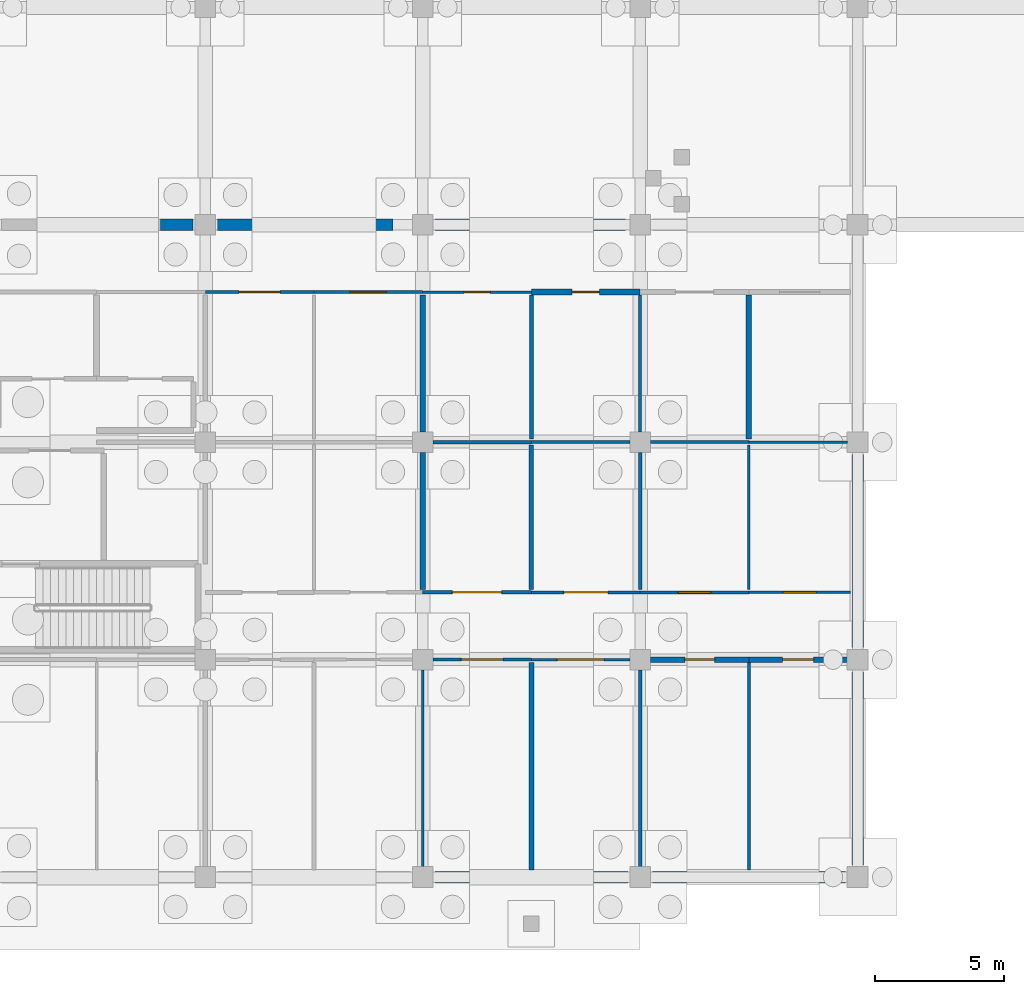
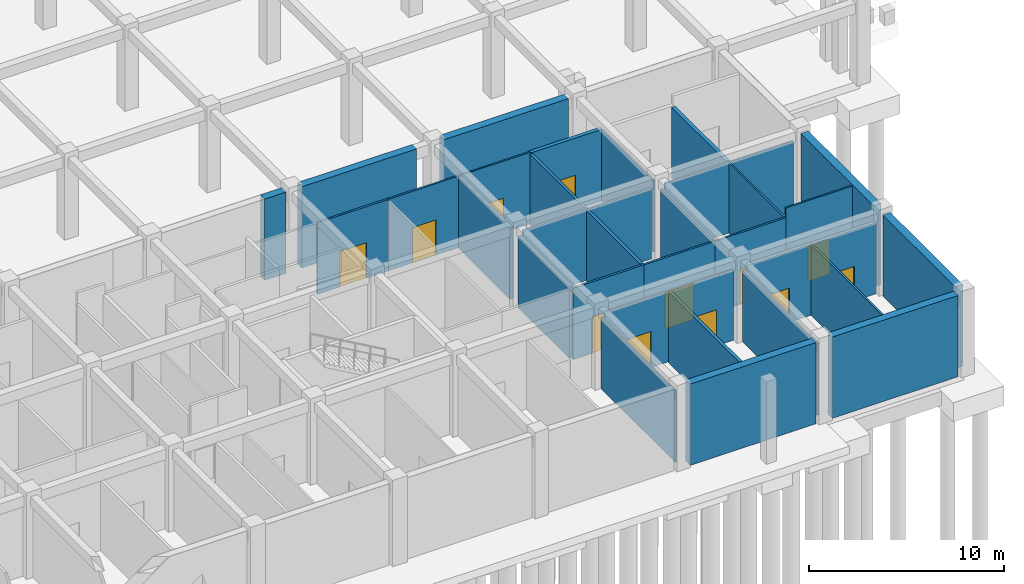
# One storey, part 47 of 65: 35 walls, 12 doors, 12 openings.
"""IFC4 building model written with IfcOpenShell, lengths in metres."""

from ifc_helpers import new_model, si_unit, direction, frame, frame_2d, origin, place, context, subcontext, project, spatial, rectangle, extrude, material, layer, layer_set, type_object, element, fill, save


model = new_model("IFC4")

# Units and contexts
model_context = context("Model", 3, precision=1e-05, world=origin(), true_north=direction((0.0, 1.0)))
body_context = subcontext(model_context, "Body", "Model", "MODEL_VIEW")
ifc_project = project(units=[si_unit("LENGTHUNIT", "METRE"), si_unit("AREAUNIT", "SQUARE_METRE"), si_unit("VOLUMEUNIT", "CUBIC_METRE"), si_unit("PLANEANGLEUNIT", "RADIAN"), si_unit("MASSUNIT", "GRAM", prefix="KILO")], contexts=[model_context])

# Site, building, storey
site_placement = place(None, origin())
site = spatial("IfcSite", under=ifc_project, at=site_placement, CompositionType="ELEMENT")
building_placement = place(site_placement, origin())
building = spatial("IfcBuilding", under=site, at=building_placement, Name="Bramfleet General Hospital", CompositionType="ELEMENT")
storey_placement = place(building_placement, frame((0.0, 0.0, -5.39990234375)))
storey = spatial("IfcBuildingStorey", under=building, at=storey_placement, Name="B1", CompositionType="ELEMENT", Elevation=-5.39990234375)

# Walls
ifc_material_1 = material(Name="Concrete C35/45", Category="concrete")
ifc_layer_1 = layer(ifc_material_1, 0.449951171875, Name="WT-EW-01")
ifc_layer_set_1 = layer_set([ifc_layer_1], Name="Concrete C35/45")
wall_type_1 = type_object("IfcWallType", Name="WT-EW-01", PredefinedType="SOLIDWALL", material=ifc_layer_set_1)
wall_1_placement = place(storey_placement, frame((149.472900390625, 25.199951171875, 0.0), z_axis=(0.0, 0.0, 1.0), x_axis=(1.0, 0.0, 0.0)))
element("IfcWall", 1, at=wall_1_placement, inside=storey, type_object=wall_type_1, Name="B1 Waterproof Retaining Wall 58", PredefinedType="SOLIDWALL", context=body_context, shape_type="SweptSolid", body=[
    extrude(rectangle(XDim=1.252197265625, YDim=0.449951171875, at=frame_2d((0.6259765625, 0.0))), origin(), (0.0, 0.0, 1.0), 5.079833984375),
])
wall_2_placement = place(storey_placement, frame((151.675048828125, 25.199951171875, 0.0), z_axis=(0.0, 0.0, 1.0), x_axis=(1.0, 0.0, 0.0)))
element("IfcWall", 2, at=wall_2_placement, inside=storey, type_object=wall_type_1, Name="B1 Waterproof Retaining Wall 59", PredefinedType="SOLIDWALL", context=body_context, shape_type="SweptSolid", body=[
    extrude(rectangle(XDim=6.77294921875, YDim=0.449951171875, at=frame_2d((3.386474609375, 0.0))), origin(), (0.0, 0.0, 1.0), 5.079833984375),
])
wall_3_placement = place(storey_placement, frame((160.074951171875, 25.199951171875, 0.0), z_axis=(0.0, 0.0, 1.0), x_axis=(1.0, 0.0, 0.0)))
element("IfcWall", 3, at=wall_3_placement, inside=storey, type_object=wall_type_1, Name="B1 Waterproof Retaining Wall 60", PredefinedType="SOLIDWALL", context=body_context, shape_type="SweptSolid", body=[
    extrude(rectangle(XDim=7.34912109375, YDim=0.449951171875, at=frame_2d((3.674560546875, 0.0))), origin(), (0.0, 0.0, 1.0), 5.079833984375),
])
for number, where, z_axis, x_axis, name in (
    (4, (176.39990234375, 16.324951171875, 0.0), (0.0, 0.0, 1.0), (0.0, -1.0, 0.0), "B1 Waterproof Retaining Wall 63"),
    (5, (176.39990234375, 7.925048828125, 0.0), (0.0, 0.0, 1.0), (0.0, -1.0, 0.0), "B1 Waterproof Retaining Wall 64"),
    (6, (175.925048828125, 0.0, 0.0), (0.0, 0.0, 1.0), (-1.0, 0.0, 0.0), "B1 Waterproof Retaining Wall 65"),
    (7, (167.52490234375, 0.0, 0.0), (0.0, 0.0, 1.0), (-1.0, 0.0, 0.0), "B1 Waterproof Retaining Wall 66"),
):
    element("IfcWall", number, at=place(storey_placement, frame(where, z_axis=z_axis, x_axis=x_axis)), inside=storey, type_object=wall_type_1, Name=name, PredefinedType="SOLIDWALL", context=body_context, shape_type="SweptSolid", body=[
        extrude(rectangle(XDim=7.449951171875, YDim=0.449951171875, at=frame_2d((3.72509765625, 0.0))), origin(), (0.0, 0.0, 1.0), 5.079833984375),
    ])

# Wall, opening, door
ifc_layer_2 = layer(ifc_material_1, 0.219970703125, Name="WT-IW-01")
ifc_layer_set_2 = layer_set([ifc_layer_2], Name="Concrete C35/45")
wall_type_2 = type_object("IfcWallType", Name="WT-IW-01", PredefinedType="PARTITIONING", material=ifc_layer_set_2)
wall_4_placement = place(storey_placement, frame((168.39501953125, 8.39990234375, 0.0), z_axis=(0.0, 0.0, 1.0), x_axis=(1.0, 0.0, 0.0)))
wall_4 = element("IfcWall", 8, at=wall_4_placement, inside=storey, type_object=wall_type_2, Name="B1 Interior Partition IW-B1-0025", PredefinedType="PARTITIONING", context=body_context, shape_type="SweptSolid", body=[
    extrude(rectangle(XDim=3.804931640625, YDim=0.219970703125, at=frame_2d((1.90234375, 0.0))), origin(), (0.0, 0.0, 1.0), 4.419921875),
])
opening_1_placement = place(wall_4_placement, frame((1.327392578125, 0.0, 0.0)))
opening_1 = element("IfcOpeningElement", 9, at=opening_1_placement, cuts=wall_4, Name="Opening D0396", PredefinedType="OPENING", context=body_context, shape_type="SweptSolid", body=[
    extrude(rectangle(XDim=1.14990234375, YDim=2.14990234375, at=frame_2d((0.574951171875, 1.074951171875))), frame((0.0, 0.119873046875, 0.0), z_axis=(0.0, -1.0, 0.0), x_axis=(1.0, 0.0, 0.0)), (0.0, 0.0, 1.0), 0.239990234375),
])
ifc_material_2 = material(Name="Stainless steel and acoustic timber leaf", Category="steel")
door_type_1 = type_object("IfcDoorType", Name="DR-D-12", OperationType="NOTDEFINED", PredefinedType="DOOR", material=ifc_material_2)
door_1_placement = place(opening_1_placement, origin())
door_1 = element("IfcDoor", 10, at=door_1_placement, inside=storey, type_object=door_type_1, Name="Clean Medical Supply Store B1-2000 Door D0396", OperationType="SINGLE_SWING_LEFT", OverallHeight=2.14990234375, OverallWidth=1.14990234375, PredefinedType="DOOR", context=body_context, shape_type="SweptSolid", body=[
    extrude(rectangle(XDim=1.14990234375, YDim=2.14990234375, at=frame_2d((0.574951171875, 1.074951171875))), frame((0.0, 0.02490234375, 0.0), z_axis=(0.0, -1.0, 0.0), x_axis=(1.0, 0.0, 0.0)), (0.0, 0.0, 1.0), 0.050048828125),
])
fill(opening_1, door_1)

wall_5_placement = place(storey_placement, frame((163.800048828125, 22.60009765625, 0.0), z_axis=(0.0, 0.0, 1.0), x_axis=(1.0, 0.0, 0.0)))
wall_5 = element("IfcWall", 11, at=wall_5_placement, inside=storey, type_object=wall_type_2, Name="B1 Interior Partition IW-B1-0097", PredefinedType="PARTITIONING", context=body_context, shape_type="SweptSolid", body=[
    extrude(rectangle(XDim=4.199951171875, YDim=0.219970703125, at=frame_2d((2.10009765625, 0.0))), origin(), (0.0, 0.0, 1.0), 4.469970703125),
])
opening_2_placement = place(wall_5_placement, frame((1.574951171875, 0.0, 0.0)))
opening_2 = element("IfcOpeningElement", 12, at=opening_2_placement, cuts=wall_5, Name="Opening D0393", PredefinedType="OPENING", context=body_context, shape_type="SweptSolid", body=[
    extrude(rectangle(XDim=1.050048828125, YDim=2.14990234375, at=frame_2d((0.52490234375, 1.074951171875))), frame((0.0, 0.119873046875, 0.0), z_axis=(0.0, -1.0, 0.0), x_axis=(1.0, 0.0, 0.0)), (0.0, 0.0, 1.0), 0.239990234375),
])
door_type_2 = type_object("IfcDoorType", Name="DR-D-09", OperationType="NOTDEFINED", PredefinedType="DOOR", material=ifc_material_2)
door_2_placement = place(opening_2_placement, origin())
door_2 = element("IfcDoor", 13, at=door_2_placement, inside=storey, type_object=door_type_2, Name="Clinical Engineering Workshop B1-1902 Door D0393", OperationType="SINGLE_SWING_RIGHT", OverallHeight=2.14990234375, OverallWidth=1.050048828125, PredefinedType="DOOR", context=body_context, shape_type="SweptSolid", body=[
    extrude(rectangle(XDim=1.050048828125, YDim=2.14990234375, at=frame_2d((0.52490234375, 1.074951171875))), frame((0.0, 0.02490234375, 0.0), z_axis=(0.0, -1.0, 0.0), x_axis=(1.0, 0.0, 0.0)), (0.0, 0.0, 1.0), 0.050048828125),
])
fill(opening_2, door_2)

# Walls
wall_6_placement = place(storey_placement, frame((159.60009765625, 11.114990234375, 0.0), z_axis=(0.0, 0.0, 1.0), x_axis=(0.0, 1.0, 0.0)))
element("IfcWall", 14, at=wall_6_placement, inside=storey, type_object=wall_type_2, Name="B1 Interior Partition IW-B1-0589", PredefinedType="PARTITIONING", context=body_context, shape_type="SweptSolid", body=[
    extrude(rectangle(XDim=5.2900390625, YDim=0.219970703125, at=frame_2d((2.64501953125, 0.0))), origin(), (0.0, 0.0, 1.0), 4.469970703125),
])
wall_7_placement = place(storey_placement, frame((172.199951171875, 16.9150390625, 0.0), z_axis=(0.0, 0.0, 1.0), x_axis=(0.0, 1.0, 0.0)))
element("IfcWall", 15, at=wall_7_placement, inside=storey, type_object=wall_type_2, Name="B1 Interior Partition IW-B1-0601", PredefinedType="PARTITIONING", context=body_context, shape_type="SweptSolid", body=[
    extrude(rectangle(XDim=5.570068359375, YDim=0.219970703125, at=frame_2d((2.78515625, 0.0))), origin(), (0.0, 0.0, 1.0), 4.419921875),
])

# Wall, opening, door
ifc_layer_3 = layer(ifc_material_1, 0.205078125, Name="WT-IW-02")
ifc_layer_set_3 = layer_set([ifc_layer_3], Name="Concrete C35/45")
wall_type_3 = type_object("IfcWallType", Name="WT-IW-02", PredefinedType="PARTITIONING", material=ifc_layer_set_3)
wall_8_placement = place(storey_placement, frame((172.199951171875, 8.39990234375, 0.0), z_axis=(0.0, 0.0, 1.0), x_axis=(1.0, 0.0, 0.0)))
wall_8 = element("IfcWall", 16, at=wall_8_placement, inside=storey, type_object=wall_type_3, Name="B1 Interior Partition IW-B1-0026", PredefinedType="PARTITIONING", context=body_context, shape_type="SweptSolid", body=[
    extrude(rectangle(XDim=3.804931640625, YDim=0.205078125, at=frame_2d((1.90234375, 0.0))), origin(), (0.0, 0.0, 1.0), 4.419921875),
])
opening_3_placement = place(wall_8_placement, frame((1.302490234375, 0.0, 0.0)))
opening_3 = element("IfcOpeningElement", 17, at=opening_3_placement, cuts=wall_8, Name="Opening D0397", PredefinedType="OPENING", context=body_context, shape_type="SweptSolid", body=[
    extrude(rectangle(XDim=1.199951171875, YDim=2.14990234375, at=frame_2d((0.60009765625, 1.074951171875))), frame((0.0, 0.112548828125, 0.0), z_axis=(0.0, -1.0, 0.0), x_axis=(1.0, 0.0, 0.0)), (0.0, 0.0, 1.0), 0.22509765625),
])
door_type_3 = type_object("IfcDoorType", Name="DR-D-13", OperationType="NOTDEFINED", PredefinedType="DOOR", material=ifc_material_2)
door_3_placement = place(opening_3_placement, origin())
door_3 = element("IfcDoor", 18, at=door_3_placement, inside=storey, type_object=door_type_3, Name="Clinical Engineering Workshop B1-2000 Door D0397", OperationType="SINGLE_SWING_RIGHT", OverallHeight=2.14990234375, OverallWidth=1.199951171875, PredefinedType="DOOR", context=body_context, shape_type="SweptSolid", body=[
    extrude(rectangle(XDim=1.199951171875, YDim=2.14990234375, at=frame_2d((0.60009765625, 1.074951171875))), frame((0.0, 0.02490234375, 0.0), z_axis=(0.0, -1.0, 0.0), x_axis=(1.0, 0.0, 0.0)), (0.0, 0.0, 1.0), 0.050048828125),
])
fill(opening_3, door_3)

# Walls
wall_9_placement = place(storey_placement, frame((159.60009765625, 17.195068359375, 0.0), z_axis=(0.0, 0.0, 1.0), x_axis=(0.0, 1.0, 0.0)))
element("IfcWall", 19, at=wall_9_placement, inside=storey, type_object=wall_type_3, Name="B1 Interior Partition IW-B1-0590", PredefinedType="PARTITIONING", context=body_context, shape_type="SweptSolid", body=[
    extrude(rectangle(XDim=5.2900390625, YDim=0.205078125, at=frame_2d((2.64501953125, 0.0))), origin(), (0.0, 0.0, 1.0), 4.469970703125),
])
ifc_layer_4 = layer(ifc_material_1, 0.179931640625, Name="WT-IW-04")
ifc_layer_set_4 = layer_set([ifc_layer_4], Name="Concrete C35/45")
wall_type_4 = type_object("IfcWallType", Name="WT-IW-04", PredefinedType="PARTITIONING", material=ifc_layer_set_4)
wall_10_placement = place(storey_placement, frame((163.800048828125, 0.280029296875, 0.0), z_axis=(0.0, 0.0, 1.0), x_axis=(0.0, 1.0, 0.0)))
element("IfcWall", 20, at=wall_10_placement, inside=storey, type_object=wall_type_4, Name="B1 Interior Partition IW-B1-0592", PredefinedType="PARTITIONING", context=body_context, shape_type="SweptSolid", body=[
    extrude(rectangle(XDim=8.0048828125, YDim=0.179931640625, at=frame_2d((4.00244140625, 0.0))), origin(), (0.0, 0.0, 1.0), 4.419921875),
])
ifc_material_3 = material(Name="Gypsum plasterboard on acoustic steel studs", Category="steel")
ifc_layer_5 = layer(ifc_material_3, 0.169921875, Name="WT-IW-05")
ifc_layer_set_5 = layer_set([ifc_layer_5], Name="Gypsum plasterboard on acoustic steel studs")
wall_type_5 = type_object("IfcWallType", Name="WT-IW-05", PredefinedType="PARTITIONING", material=ifc_layer_set_5)
wall_11_placement = place(storey_placement, frame((163.800048828125, 11.114990234375, 0.0), z_axis=(0.0, 0.0, 1.0), x_axis=(0.0, 1.0, 0.0)))
element("IfcWall", 21, at=wall_11_placement, inside=storey, type_object=wall_type_5, Name="B1 Interior Partition IW-B1-0593", PredefinedType="PARTITIONING", context=body_context, shape_type="SweptSolid", body=[
    extrude(rectangle(XDim=5.570068359375, YDim=0.169921875, at=frame_2d((2.78515625, 0.0))), origin(), (0.0, 0.0, 1.0), 4.419921875),
])
ifc_layer_6 = layer(ifc_material_3, 0.159912109375, Name="WT-IW-06")
ifc_layer_set_6 = layer_set([ifc_layer_6], Name="Gypsum plasterboard on acoustic steel studs")
wall_type_6 = type_object("IfcWallType", Name="WT-IW-06", PredefinedType="PARTITIONING", material=ifc_layer_set_6)
wall_12_placement = place(storey_placement, frame((163.800048828125, 16.9150390625, 0.0), z_axis=(0.0, 0.0, 1.0), x_axis=(0.0, 1.0, 0.0)))
element("IfcWall", 22, at=wall_12_placement, inside=storey, type_object=wall_type_6, Name="B1 Interior Partition IW-B1-0594", PredefinedType="PARTITIONING", context=body_context, shape_type="SweptSolid", body=[
    extrude(rectangle(XDim=5.570068359375, YDim=0.159912109375, at=frame_2d((2.78515625, 0.0))), origin(), (0.0, 0.0, 1.0), 4.419921875),
])
ifc_layer_7 = layer(ifc_material_3, 0.139892578125, Name="WT-IW-08")
ifc_layer_set_7 = layer_set([ifc_layer_7], Name="Gypsum plasterboard on acoustic steel studs")
wall_type_7 = type_object("IfcWallType", Name="WT-IW-08", PredefinedType="PARTITIONING", material=ifc_layer_set_7)
wall_13_placement = place(storey_placement, frame((168.0, 0.39501953125, 0.0), z_axis=(0.0, 0.0, 1.0), x_axis=(0.0, 1.0, 0.0)))
element("IfcWall", 23, at=wall_13_placement, inside=storey, type_object=wall_type_7, Name="B1 Interior Partition IW-B1-0596", PredefinedType="PARTITIONING", context=body_context, shape_type="SweptSolid", body=[
    extrude(rectangle(XDim=7.60986328125, YDim=0.139892578125, at=frame_2d((3.804931640625, 0.0))), origin(), (0.0, 0.0, 1.0), 4.469970703125),
])

# Wall, opening, door
ifc_layer_8 = layer(ifc_material_3, 0.1298828125, Name="WT-IW-09")
ifc_layer_set_8 = layer_set([ifc_layer_8], Name="Gypsum plasterboard on acoustic steel studs")
wall_type_8 = type_object("IfcWallType", Name="WT-IW-09", PredefinedType="PARTITIONING", material=ifc_layer_set_8)
wall_14_placement = place(storey_placement, frame((159.60009765625, 11.0, 0.0), z_axis=(0.0, 0.0, 1.0), x_axis=(1.0, 0.0, 0.0)))
wall_14 = element("IfcWall", 24, at=wall_14_placement, inside=storey, type_object=wall_type_8, Name="B1 Interior Partition IW-B1-0045", PredefinedType="PARTITIONING", context=body_context, shape_type="SweptSolid", body=[
    extrude(rectangle(XDim=4.199951171875, YDim=0.1298828125, at=frame_2d((2.10009765625, 0.0))), origin(), (0.0, 0.0, 1.0), 4.469970703125),
])
opening_4_placement = place(wall_14_placement, frame((1.14990234375, 0.0, 0.0)))
opening_4 = element("IfcOpeningElement", 25, at=opening_4_placement, cuts=wall_14, Name="Opening D0390", PredefinedType="OPENING", context=body_context, shape_type="SweptSolid", body=[
    extrude(rectangle(XDim=1.89990234375, YDim=2.300048828125, at=frame_2d((0.949951171875, 1.14990234375))), frame((0.0, 0.074951171875, 0.0), z_axis=(0.0, -1.0, 0.0), x_axis=(1.0, 0.0, 0.0)), (0.0, 0.0, 1.0), 0.14990234375),
])
door_type_4 = type_object("IfcDoorType", Name="DR-D-06", OperationType="NOTDEFINED", PredefinedType="DOOR", material=ifc_material_2)
door_4_placement = place(opening_4_placement, origin())
door_4 = element("IfcDoor", 26, at=door_4_placement, inside=storey, type_object=door_type_4, Name="Clean Medical Supply Store B1-1901 Door D0390", OperationType="DOUBLE_SWING_LEFT", OverallHeight=2.300048828125, OverallWidth=1.89990234375, PredefinedType="DOOR", context=body_context, shape_type="SweptSolid", body=[
    extrude(rectangle(XDim=1.89990234375, YDim=2.300048828125, at=frame_2d((0.949951171875, 1.14990234375))), frame((0.0, 0.02490234375, 0.0), z_axis=(0.0, -1.0, 0.0), x_axis=(1.0, 0.0, 0.0)), (0.0, 0.0, 1.0), 0.050048828125),
])
fill(opening_4, door_4)

# Walls
wall_15_placement = place(storey_placement, frame((159.9951171875, 16.800048828125, 0.0), z_axis=(0.0, 0.0, 1.0), x_axis=(1.0, 0.0, 0.0)))
element("IfcWall", 27, at=wall_15_placement, inside=storey, type_object=wall_type_8, Name="B1 Interior Partition IW-B1-0069", PredefinedType="PARTITIONING", context=body_context, shape_type="SweptSolid", body=[
    extrude(rectangle(XDim=3.804931640625, YDim=0.1298828125, at=frame_2d((1.90234375, 0.0))), origin(), (0.0, 0.0, 1.0), 4.419921875),
])
wall_16_placement = place(storey_placement, frame((168.0, 11.114990234375, 0.0), z_axis=(0.0, 0.0, 1.0), x_axis=(0.0, 1.0, 0.0)))
element("IfcWall", 28, at=wall_16_placement, inside=storey, type_object=wall_type_8, Name="B1 Interior Partition IW-B1-0597", PredefinedType="PARTITIONING", context=body_context, shape_type="SweptSolid", body=[
    extrude(rectangle(XDim=5.2900390625, YDim=0.1298828125, at=frame_2d((2.64501953125, 0.0))), origin(), (0.0, 0.0, 1.0), 4.469970703125),
])

# Wall, opening, door
ifc_layer_9 = layer(ifc_material_3, 0.1201171875, Name="WT-IW-10")
ifc_layer_set_9 = layer_set([ifc_layer_9], Name="Gypsum plasterboard on acoustic steel studs")
wall_type_9 = type_object("IfcWallType", Name="WT-IW-10", PredefinedType="PARTITIONING", material=ifc_layer_set_9)
wall_17_placement = place(storey_placement, frame((163.800048828125, 11.0, 0.0), z_axis=(0.0, 0.0, 1.0), x_axis=(1.0, 0.0, 0.0)))
wall_17 = element("IfcWall", 29, at=wall_17_placement, inside=storey, type_object=wall_type_9, Name="B1 Interior Partition IW-B1-0046", PredefinedType="PARTITIONING", context=body_context, shape_type="SweptSolid", body=[
    extrude(rectangle(XDim=4.199951171875, YDim=0.1201171875, at=frame_2d((2.10009765625, 0.0))), origin(), (0.0, 0.0, 1.0), 4.469970703125),
])
opening_5_placement = place(wall_17_placement, frame((1.25, 0.0, 0.0)))
opening_5 = element("IfcOpeningElement", 30, at=opening_5_placement, cuts=wall_17, Name="Opening D0391", PredefinedType="OPENING", context=body_context, shape_type="SweptSolid", body=[
    extrude(rectangle(XDim=1.699951171875, YDim=2.25, at=frame_2d((0.85009765625, 1.125))), frame((0.0, 0.070068359375, 0.0), z_axis=(0.0, -1.0, 0.0), x_axis=(1.0, 0.0, 0.0)), (0.0, 0.0, 1.0), 0.14013671875),
])
door_type_5 = type_object("IfcDoorType", Name="DR-D-07", OperationType="NOTDEFINED", PredefinedType="DOOR", material=ifc_material_2)
door_5_placement = place(opening_5_placement, origin())
door_5 = element("IfcDoor", 31, at=door_5_placement, inside=storey, type_object=door_type_5, Name="Clinical Engineering Workshop B1-1901 Door D0391", OperationType="DOUBLE_SWING_RIGHT", OverallHeight=2.25, OverallWidth=1.699951171875, PredefinedType="DOOR", context=body_context, shape_type="SweptSolid", body=[
    extrude(rectangle(XDim=1.699951171875, YDim=2.25, at=frame_2d((0.85009765625, 1.125))), frame((0.0, 0.02490234375, 0.0), z_axis=(0.0, -1.0, 0.0), x_axis=(1.0, 0.0, 0.0)), (0.0, 0.0, 1.0), 0.050048828125),
])
fill(opening_5, door_5)

# Wall
wall_18_placement = place(storey_placement, frame((163.800048828125, 16.800048828125, 0.0), z_axis=(0.0, 0.0, 1.0), x_axis=(1.0, 0.0, 0.0)))
element("IfcWall", 32, at=wall_18_placement, inside=storey, type_object=wall_type_9, Name="B1 Interior Partition IW-B1-0070", PredefinedType="PARTITIONING", context=body_context, shape_type="SweptSolid", body=[
    extrude(rectangle(XDim=3.804931640625, YDim=0.1201171875, at=frame_2d((1.90234375, 0.0))), origin(), (0.0, 0.0, 1.0), 4.419921875),
])

# Wall, opening, door
wall_19_placement = place(storey_placement, frame((151.199951171875, 22.60009765625, 0.0), z_axis=(0.0, 0.0, 1.0), x_axis=(1.0, 0.0, 0.0)))
wall_19 = element("IfcWall", 33, at=wall_19_placement, inside=storey, type_object=wall_type_9, Name="B1 Interior Partition IW-B1-0094", PredefinedType="PARTITIONING", context=body_context, shape_type="SweptSolid", body=[
    extrude(rectangle(XDim=4.199951171875, YDim=0.1201171875, at=frame_2d((2.10009765625, 0.0))), origin(), (0.0, 0.0, 1.0), 4.469970703125),
])
opening_6_placement = place(wall_19_placement, frame((1.31005859375, 0.0, 0.0)))
opening_6 = element("IfcOpeningElement", 34, at=opening_6_placement, cuts=wall_19, Name="Opening D0384", PredefinedType="OPENING", context=body_context, shape_type="SweptSolid", body=[
    extrude(rectangle(XDim=1.580078125, YDim=2.219970703125, at=frame_2d((0.7900390625, 1.10986328125))), frame((0.0, 0.070068359375, 0.0), z_axis=(0.0, -1.0, 0.0), x_axis=(1.0, 0.0, 0.0)), (0.0, 0.0, 1.0), 0.14013671875),
])
door_type_6 = type_object("IfcDoorType", Name="DR-D-32", OperationType="NOTDEFINED", PredefinedType="DOOR", material=ifc_material_2)
door_6_placement = place(opening_6_placement, origin())
door_6 = element("IfcDoor", 35, at=door_6_placement, inside=storey, type_object=door_type_6, Name="Clean Medical Supply Store B1-1802 Door D0384", OperationType="DOUBLE_SWING_LEFT", OverallHeight=2.219970703125, OverallWidth=1.580078125, PredefinedType="DOOR", context=body_context, shape_type="SweptSolid", body=[
    extrude(rectangle(XDim=1.580078125, YDim=2.219970703125, at=frame_2d((0.7900390625, 1.10986328125))), frame((0.0, 0.02490234375, 0.0), z_axis=(0.0, -1.0, 0.0), x_axis=(1.0, 0.0, 0.0)), (0.0, 0.0, 1.0), 0.050048828125),
])
fill(opening_6, door_6)

# Wall
wall_20_placement = place(storey_placement, frame((168.0, 17.195068359375, 0.0), z_axis=(0.0, 0.0, 1.0), x_axis=(0.0, 1.0, 0.0)))
element("IfcWall", 36, at=wall_20_placement, inside=storey, type_object=wall_type_9, Name="B1 Interior Partition IW-B1-0598", PredefinedType="PARTITIONING", context=body_context, shape_type="SweptSolid", body=[
    extrude(rectangle(XDim=5.2900390625, YDim=0.1201171875, at=frame_2d((2.64501953125, 0.0))), origin(), (0.0, 0.0, 1.0), 4.469970703125),
])

# Wall, opening, door
ifc_layer_10 = layer(ifc_material_3, 0.112060546875, Name="WT-IW-11")
ifc_layer_set_10 = layer_set([ifc_layer_10], Name="Gypsum plasterboard on acoustic steel studs")
wall_type_10 = type_object("IfcWallType", Name="WT-IW-11", PredefinedType="PARTITIONING", material=ifc_layer_set_10)
wall_21_placement = place(storey_placement, frame((159.9951171875, 8.39990234375, 0.0), z_axis=(0.0, 0.0, 1.0), x_axis=(1.0, 0.0, 0.0)))
wall_21 = element("IfcWall", 37, at=wall_21_placement, inside=storey, type_object=wall_type_10, Name="B1 Interior Partition IW-B1-0023", PredefinedType="PARTITIONING", context=body_context, shape_type="SweptSolid", body=[
    extrude(rectangle(XDim=3.804931640625, YDim=0.112060546875, at=frame_2d((1.90234375, 0.0))), origin(), (0.0, 0.0, 1.0), 4.419921875),
])
opening_7_placement = place(wall_21_placement, frame((1.1025390625, 0.0, 0.0)))
opening_7 = element("IfcOpeningElement", 38, at=opening_7_placement, cuts=wall_21, Name="Opening D0388", PredefinedType="OPENING", context=body_context, shape_type="SweptSolid", body=[
    extrude(rectangle(XDim=1.60009765625, YDim=2.25, at=frame_2d((0.800048828125, 1.125))), frame((0.0, 0.06591796875, 0.0), z_axis=(0.0, -1.0, 0.0), x_axis=(1.0, 0.0, 0.0)), (0.0, 0.0, 1.0), 0.132080078125),
])
door_type_7 = type_object("IfcDoorType", Name="DR-D-04", OperationType="NOTDEFINED", PredefinedType="DOOR", material=ifc_material_2)
door_7_placement = place(opening_7_placement, origin())
door_7 = element("IfcDoor", 39, at=door_7_placement, inside=storey, type_object=door_type_7, Name="Clean Medical Supply Store B1-1900 Door D0388", OperationType="DOUBLE_SWING_LEFT", OverallHeight=2.25, OverallWidth=1.60009765625, PredefinedType="DOOR", context=body_context, shape_type="SweptSolid", body=[
    extrude(rectangle(XDim=1.60009765625, YDim=2.25, at=frame_2d((0.800048828125, 1.125))), frame((0.0, 0.02490234375, 0.0), z_axis=(0.0, -1.0, 0.0), x_axis=(1.0, 0.0, 0.0)), (0.0, 0.0, 1.0), 0.050048828125),
])
fill(opening_7, door_7)

wall_22_placement = place(storey_placement, frame((168.0, 11.0, 0.0), z_axis=(0.0, 0.0, 1.0), x_axis=(1.0, 0.0, 0.0)))
wall_22 = element("IfcWall", 40, at=wall_22_placement, inside=storey, type_object=wall_type_10, Name="B1 Interior Partition IW-B1-0047", PredefinedType="PARTITIONING", context=body_context, shape_type="SweptSolid", body=[
    extrude(rectangle(XDim=4.199951171875, YDim=0.112060546875, at=frame_2d((2.10009765625, 0.0))), origin(), (0.0, 0.0, 1.0), 4.469970703125),
])
opening_8_placement = place(wall_22_placement, frame((1.47509765625, 0.0, 0.0)))
opening_8 = element("IfcOpeningElement", 41, at=opening_8_placement, cuts=wall_22, Name="Opening D0398", PredefinedType="OPENING", context=body_context, shape_type="SweptSolid", body=[
    extrude(rectangle(XDim=1.25, YDim=2.199951171875, at=frame_2d((0.625, 1.10009765625))), frame((0.0, 0.06591796875, 0.0), z_axis=(0.0, -1.0, 0.0), x_axis=(1.0, 0.0, 0.0)), (0.0, 0.0, 1.0), 0.132080078125),
])
door_type_8 = type_object("IfcDoorType", Name="DR-D-14", OperationType="NOTDEFINED", PredefinedType="DOOR", material=ifc_material_2)
door_8_placement = place(opening_8_placement, origin())
door_8 = element("IfcDoor", 42, at=door_8_placement, inside=storey, type_object=door_type_8, Name="Clean Medical Supply Store B1-2001 Door D0398", OperationType="SINGLE_SWING_LEFT", OverallHeight=2.199951171875, OverallWidth=1.25, PredefinedType="DOOR", context=body_context, shape_type="SweptSolid", body=[
    extrude(rectangle(XDim=1.25, YDim=2.199951171875, at=frame_2d((0.625, 1.10009765625))), frame((0.0, 0.02490234375, 0.0), z_axis=(0.0, -1.0, 0.0), x_axis=(1.0, 0.0, 0.0)), (0.0, 0.0, 1.0), 0.050048828125),
])
fill(opening_8, door_8)

# Wall
wall_23_placement = place(storey_placement, frame((168.39501953125, 16.800048828125, 0.0), z_axis=(0.0, 0.0, 1.0), x_axis=(1.0, 0.0, 0.0)))
element("IfcWall", 43, at=wall_23_placement, inside=storey, type_object=wall_type_10, Name="B1 Interior Partition IW-B1-0071", PredefinedType="PARTITIONING", context=body_context, shape_type="SweptSolid", body=[
    extrude(rectangle(XDim=3.804931640625, YDim=0.112060546875, at=frame_2d((1.90234375, 0.0))), origin(), (0.0, 0.0, 1.0), 4.419921875),
])

# Wall, opening, door
wall_24_placement = place(storey_placement, frame((155.39990234375, 22.60009765625, 0.0), z_axis=(0.0, 0.0, 1.0), x_axis=(1.0, 0.0, 0.0)))
wall_24 = element("IfcWall", 44, at=wall_24_placement, inside=storey, type_object=wall_type_10, Name="B1 Interior Partition IW-B1-0095", PredefinedType="PARTITIONING", context=body_context, shape_type="SweptSolid", body=[
    extrude(rectangle(XDim=4.2001953125, YDim=0.112060546875, at=frame_2d((2.10009765625, 0.0))), origin(), (0.0, 0.0, 1.0), 4.469970703125),
])
opening_9_placement = place(wall_24_placement, frame((1.39990234375, 0.0, 0.0)))
opening_9 = element("IfcOpeningElement", 45, at=opening_9_placement, cuts=wall_24, Name="Opening D0385", PredefinedType="OPENING", context=body_context, shape_type="SweptSolid", body=[
    extrude(rectangle(XDim=1.39990234375, YDim=2.199951171875, at=frame_2d((0.699951171875, 1.10009765625))), frame((0.0, 0.06591796875, 0.0), z_axis=(0.0, -1.0, 0.0), x_axis=(1.0, 0.0, 0.0)), (0.0, 0.0, 1.0), 0.132080078125),
])
door_type_9 = type_object("IfcDoorType", Name="DR-D-01", OperationType="NOTDEFINED", PredefinedType="DOOR", material=ifc_material_2)
door_9_placement = place(opening_9_placement, origin())
door_9 = element("IfcDoor", 46, at=door_9_placement, inside=storey, type_object=door_type_9, Name="Clinical Engineering Workshop B1-1802 Door D0385", OperationType="SINGLE_SWING_RIGHT", OverallHeight=2.199951171875, OverallWidth=1.39990234375, PredefinedType="DOOR", context=body_context, shape_type="SweptSolid", body=[
    extrude(rectangle(XDim=1.39990234375, YDim=2.199951171875, at=frame_2d((0.699951171875, 1.10009765625))), frame((0.0, 0.02490234375, 0.0), z_axis=(0.0, -1.0, 0.0), x_axis=(1.0, 0.0, 0.0)), (0.0, 0.0, 1.0), 0.050048828125),
])
fill(opening_9, door_9)

# Wall
wall_25_placement = place(storey_placement, frame((172.199951171875, 0.280029296875, 0.0), z_axis=(0.0, 0.0, 1.0), x_axis=(0.0, 1.0, 0.0)))
element("IfcWall", 47, at=wall_25_placement, inside=storey, type_object=wall_type_10, Name="B1 Interior Partition IW-B1-0599", PredefinedType="PARTITIONING", context=body_context, shape_type="SweptSolid", body=[
    extrude(rectangle(XDim=8.0048828125, YDim=0.112060546875, at=frame_2d((4.00244140625, 0.0))), origin(), (0.0, 0.0, 1.0), 4.419921875),
])

# Wall, opening, door
ifc_layer_11 = layer(ifc_material_3, 0.10009765625, Name="WT-IW-12")
ifc_layer_set_11 = layer_set([ifc_layer_11], Name="Gypsum plasterboard on acoustic steel studs")
wall_type_11 = type_object("IfcWallType", Name="WT-IW-12", PredefinedType="PARTITIONING", material=ifc_layer_set_11)
wall_26_placement = place(storey_placement, frame((163.800048828125, 8.39990234375, 0.0), z_axis=(0.0, 0.0, 1.0), x_axis=(1.0, 0.0, 0.0)))
wall_26 = element("IfcWall", 48, at=wall_26_placement, inside=storey, type_object=wall_type_11, Name="B1 Interior Partition IW-B1-0024", PredefinedType="PARTITIONING", context=body_context, shape_type="SweptSolid", body=[
    extrude(rectangle(XDim=3.804931640625, YDim=0.10009765625, at=frame_2d((1.90234375, 0.0))), origin(), (0.0, 0.0, 1.0), 4.419921875),
])
opening_10_placement = place(wall_26_placement, frame((1.00244140625, 0.0, 0.0)))
opening_10 = element("IfcOpeningElement", 49, at=opening_10_placement, cuts=wall_26, Name="Opening D0389", PredefinedType="OPENING", context=body_context, shape_type="SweptSolid", body=[
    extrude(rectangle(XDim=1.800048828125, YDim=2.25, at=frame_2d((0.89990234375, 1.125))), frame((0.0, 0.06005859375, 0.0), z_axis=(0.0, -1.0, 0.0), x_axis=(1.0, 0.0, 0.0)), (0.0, 0.0, 1.0), 0.1201171875),
])
door_type_10 = type_object("IfcDoorType", Name="DR-D-05", OperationType="NOTDEFINED", PredefinedType="DOOR", material=ifc_material_2)
door_10_placement = place(opening_10_placement, origin())
door_10 = element("IfcDoor", 50, at=door_10_placement, inside=storey, type_object=door_type_10, Name="Clinical Engineering Workshop B1-1900 Door D0389", OperationType="DOUBLE_SWING_RIGHT", OverallHeight=2.25, OverallWidth=1.800048828125, PredefinedType="DOOR", context=body_context, shape_type="SweptSolid", body=[
    extrude(rectangle(XDim=1.800048828125, YDim=2.25, at=frame_2d((0.89990234375, 1.125))), frame((0.0, 0.02490234375, 0.0), z_axis=(0.0, -1.0, 0.0), x_axis=(1.0, 0.0, 0.0)), (0.0, 0.0, 1.0), 0.050048828125),
])
fill(opening_10, door_10)

wall_27_placement = place(storey_placement, frame((172.199951171875, 11.0, 0.0), z_axis=(0.0, 0.0, 1.0), x_axis=(1.0, 0.0, 0.0)))
wall_27 = element("IfcWall", 51, at=wall_27_placement, inside=storey, type_object=wall_type_11, Name="B1 Interior Partition IW-B1-0048", PredefinedType="PARTITIONING", context=body_context, shape_type="SweptSolid", body=[
    extrude(rectangle(XDim=3.920166015625, YDim=0.10009765625, at=frame_2d((1.9599609375, 0.0))), origin(), (0.0, 0.0, 1.0), 5.06982421875),
])
opening_11_placement = place(wall_27_placement, frame((1.31005859375, 0.0, 0.0)))
opening_11 = element("IfcOpeningElement", 52, at=opening_11_placement, cuts=wall_27, Name="Opening D0399", PredefinedType="OPENING", context=body_context, shape_type="SweptSolid", body=[
    extrude(rectangle(XDim=1.300048828125, YDim=2.199951171875, at=frame_2d((0.64990234375, 1.10009765625))), frame((0.0, 0.06005859375, 0.0), z_axis=(0.0, -1.0, 0.0), x_axis=(1.0, 0.0, 0.0)), (0.0, 0.0, 1.0), 0.1201171875),
])
door_type_11 = type_object("IfcDoorType", Name="DR-D-15", OperationType="NOTDEFINED", PredefinedType="DOOR", material=ifc_material_2)
door_11_placement = place(opening_11_placement, origin())
door_11 = element("IfcDoor", 53, at=door_11_placement, inside=storey, type_object=door_type_11, Name="Clinical Engineering Workshop B1-2001 Door D0399", OperationType="SINGLE_SWING_RIGHT", OverallHeight=2.199951171875, OverallWidth=1.300048828125, PredefinedType="DOOR", context=body_context, shape_type="SweptSolid", body=[
    extrude(rectangle(XDim=1.300048828125, YDim=2.199951171875, at=frame_2d((0.64990234375, 1.10009765625))), frame((0.0, 0.02490234375, 0.0), z_axis=(0.0, -1.0, 0.0), x_axis=(1.0, 0.0, 0.0)), (0.0, 0.0, 1.0), 0.050048828125),
])
fill(opening_11, door_11)

# Wall
wall_28_placement = place(storey_placement, frame((172.199951171875, 16.800048828125, 0.0), z_axis=(0.0, 0.0, 1.0), x_axis=(1.0, 0.0, 0.0)))
element("IfcWall", 54, at=wall_28_placement, inside=storey, type_object=wall_type_11, Name="B1 Interior Partition IW-B1-0072", PredefinedType="PARTITIONING", context=body_context, shape_type="SweptSolid", body=[
    extrude(rectangle(XDim=3.804931640625, YDim=0.10009765625, at=frame_2d((1.90234375, 0.0))), origin(), (0.0, 0.0, 1.0), 4.419921875),
])

# Wall, opening, door
wall_29_placement = place(storey_placement, frame((159.60009765625, 22.60009765625, 0.0), z_axis=(0.0, 0.0, 1.0), x_axis=(1.0, 0.0, 0.0)))
wall_29 = element("IfcWall", 55, at=wall_29_placement, inside=storey, type_object=wall_type_11, Name="B1 Interior Partition IW-B1-0096", PredefinedType="PARTITIONING", context=body_context, shape_type="SweptSolid", body=[
    extrude(rectangle(XDim=4.199951171875, YDim=0.10009765625, at=frame_2d((2.10009765625, 0.0))), origin(), (0.0, 0.0, 1.0), 4.469970703125),
])
opening_12_placement = place(wall_29_placement, frame((1.60009765625, 0.0, 0.0)))
opening_12 = element("IfcOpeningElement", 56, at=opening_12_placement, cuts=wall_29, Name="Opening D0392", PredefinedType="OPENING", context=body_context, shape_type="SweptSolid", body=[
    extrude(rectangle(XDim=1.0, YDim=2.14990234375, at=frame_2d((0.5, 1.074951171875))), frame((0.0, 0.06005859375, 0.0), z_axis=(0.0, -1.0, 0.0), x_axis=(1.0, 0.0, 0.0)), (0.0, 0.0, 1.0), 0.1201171875),
])
door_type_12 = type_object("IfcDoorType", Name="DR-D-08", OperationType="NOTDEFINED", PredefinedType="DOOR", material=ifc_material_2)
door_12_placement = place(opening_12_placement, origin())
door_12 = element("IfcDoor", 57, at=door_12_placement, inside=storey, type_object=door_type_12, Name="Clean Medical Supply Store B1-1902 Door D0392", OperationType="SINGLE_SWING_LEFT", OverallHeight=2.14990234375, OverallWidth=1.0, PredefinedType="DOOR", context=body_context, shape_type="SweptSolid", body=[
    extrude(rectangle(XDim=1.0, YDim=2.14990234375, at=frame_2d((0.5, 1.074951171875))), frame((0.0, 0.02490234375, 0.0), z_axis=(0.0, -1.0, 0.0), x_axis=(1.0, 0.0, 0.0)), (0.0, 0.0, 1.0), 0.050048828125),
])
fill(opening_12, door_12)

# Walls
wall_30_placement = place(storey_placement, frame((159.60009765625, 0.39501953125, 0.0), z_axis=(0.0, 0.0, 1.0), x_axis=(0.0, 1.0, 0.0)))
element("IfcWall", 58, at=wall_30_placement, inside=storey, type_object=wall_type_11, Name="B1 Interior Partition IW-B1-0588", PredefinedType="PARTITIONING", context=body_context, shape_type="SweptSolid", body=[
    extrude(rectangle(XDim=7.60986328125, YDim=0.10009765625, at=frame_2d((3.804931640625, 0.0))), origin(), (0.0, 0.0, 1.0), 4.469970703125),
])
wall_31_placement = place(storey_placement, frame((172.199951171875, 11.114990234375, 0.0), z_axis=(0.0, 0.0, 1.0), x_axis=(0.0, 1.0, 0.0)))
element("IfcWall", 59, at=wall_31_placement, inside=storey, type_object=wall_type_11, Name="B1 Interior Partition IW-B1-0600", PredefinedType="PARTITIONING", context=body_context, shape_type="SweptSolid", body=[
    extrude(rectangle(XDim=5.570068359375, YDim=0.10009765625, at=frame_2d((2.78515625, 0.0))), origin(), (0.0, 0.0, 1.0), 4.419921875),
])

save(model, "model.ifc")
